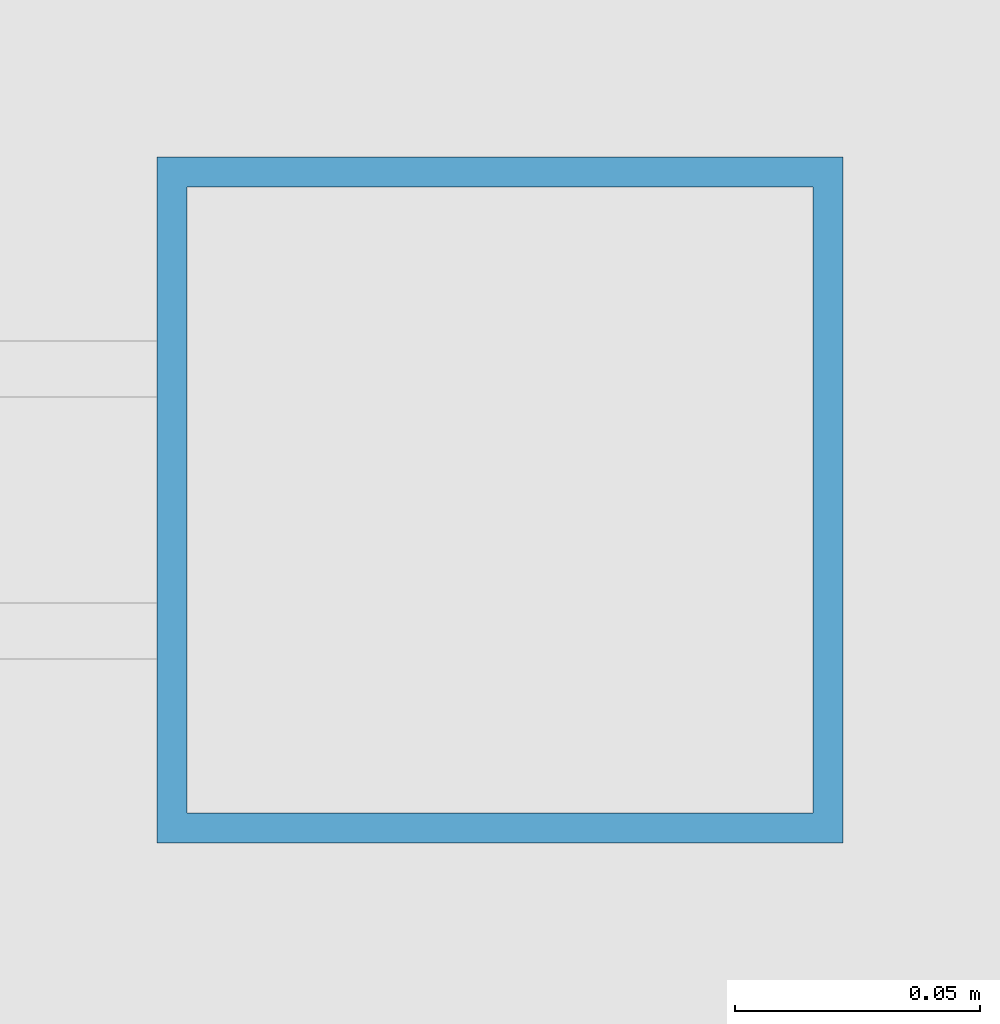
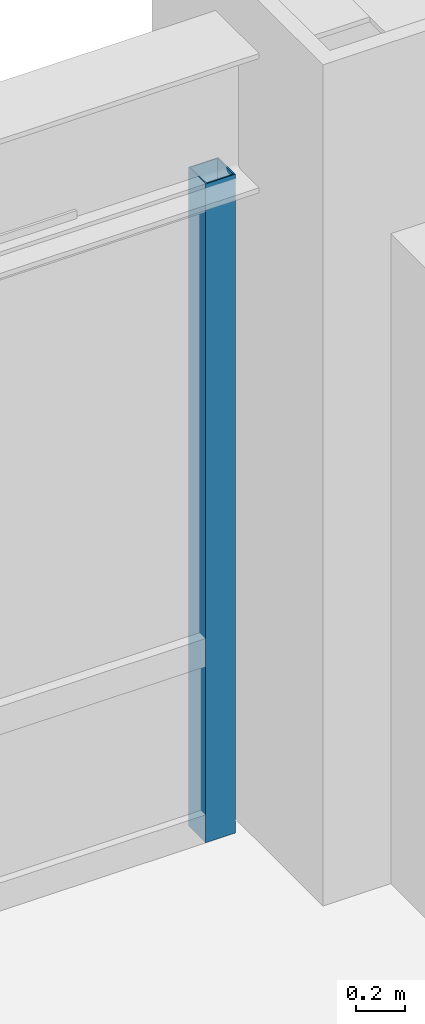
# One storey, part 21 of 32: 1 member, 1 element without a shape of its own.
"""IFC4 building model written with IfcOpenShell, lengths in metres."""

from ifc_helpers import new_model, si_unit, direction, frame, origin, origin_2d, place, context, subcontext, project, spatial, hollow_rectangle, extrude, source, transform, mapped, material, material_profile, profile_set, type_object, element, aggregate, save


model = new_model("IFC4")

# Units and contexts
model_context = context("Model", 3, precision=1e-05, world=origin(), true_north=direction((0.0, 1.0)))
body_context = subcontext(model_context, "Body", "Model", "MODEL_VIEW")
ifc_project = project(units=[si_unit("LENGTHUNIT", "METRE"), si_unit("AREAUNIT", "SQUARE_METRE"), si_unit("VOLUMEUNIT", "CUBIC_METRE"), si_unit("PLANEANGLEUNIT", "RADIAN"), si_unit("MASSUNIT", "GRAM", prefix="KILO")], contexts=[model_context])

# Site, building, storey
site_placement = place(None, origin())
site = spatial("IfcSite", under=ifc_project, at=site_placement, CompositionType="ELEMENT")
building_placement = place(site_placement, origin())
building = spatial("IfcBuilding", under=site, at=building_placement, Name="Khorayat Bourse Tower", CompositionType="ELEMENT")
storey_placement = place(building_placement, frame((0.0, 0.0, 74.60009765625)))
storey = spatial("IfcBuildingStorey", under=building, at=storey_placement, Name="L16", CompositionType="ELEMENT", Elevation=74.60009765625)

# Curtain wall, member
ifc_material = material(Name="Aluminium EN AW-6063 T6", Category="aluminium")
curtain_wall_type = type_object("IfcCurtainWallType", Name="CW-SYS-02", PredefinedType="NOTDEFINED", material=ifc_material)
curtain_wall_placement = place(storey_placement, origin())
curtain_wall = element("IfcCurtainWall", 1, at=curtain_wall_placement, inside=storey, type_object=curtain_wall_type, Name="L16 Curtain Wall CW-L16-N1", PredefinedType="NOTDEFINED")
ifc_material_profile = material_profile(ifc_material, hollow_rectangle(XDim=0.139892578125, YDim=0.139892578125, WallThickness=0.006103515625, at=origin_2d()), Name="ALU 140x140x6")
ifc_profile_set = profile_set([ifc_material_profile], Name="Aluminium EN AW-6063 T6")
member_type = type_object("IfcMemberType", Name="CWM-VERT-140", PredefinedType="MULLION", material=ifc_profile_set)
shared_shape = source(origin(), body_context, "Body", "SweptSolid", [
    extrude(hollow_rectangle(XDim=0.139892578125, YDim=0.139892578125, WallThickness=0.006103515625, at=origin_2d()), origin(), (0.0, 0.0, 1.0), 3.289794921875),
])
member_placement = place(storey_placement, frame((27.679931640625, 32.0, 0.0), z_axis=(0.0, 0.0, 1.0), x_axis=(0.0, 1.0, 0.0)))
member = element("IfcMember", 2, at=member_placement, type_object=member_type, Name="CW-L16-N1 Vertical Mullion 3", PredefinedType="MULLION", context=body_context, shape_type="MappedRepresentation", body=[
    mapped(shared_shape, transform((0.0, 0.0, 0.0), scale=1.0)),
])
aggregate(curtain_wall, [member])

save(model, "model.ifc")
